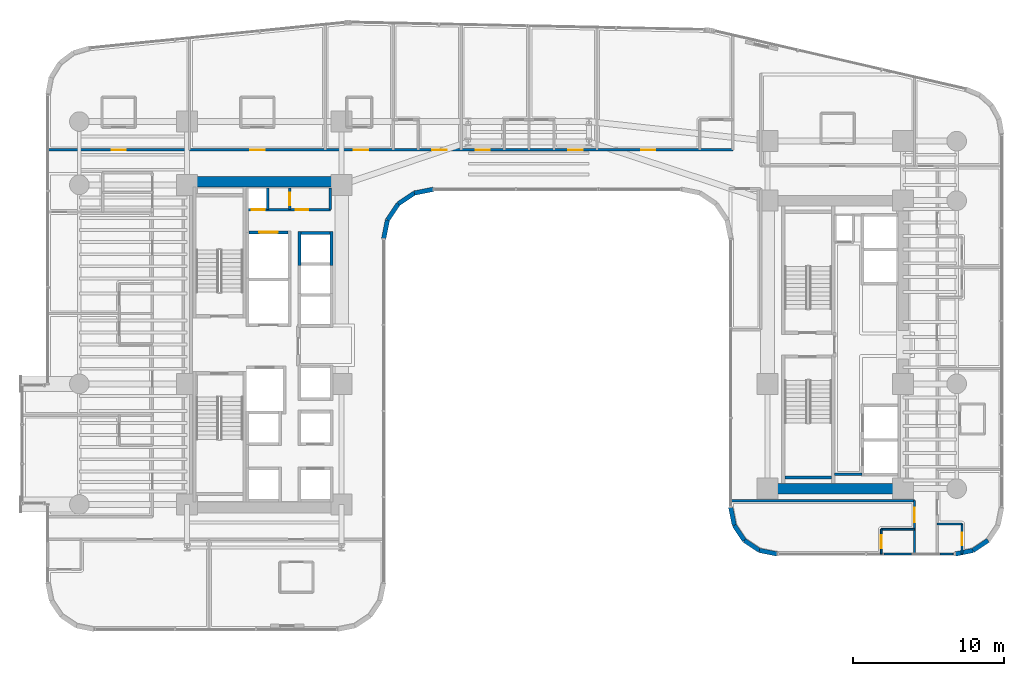
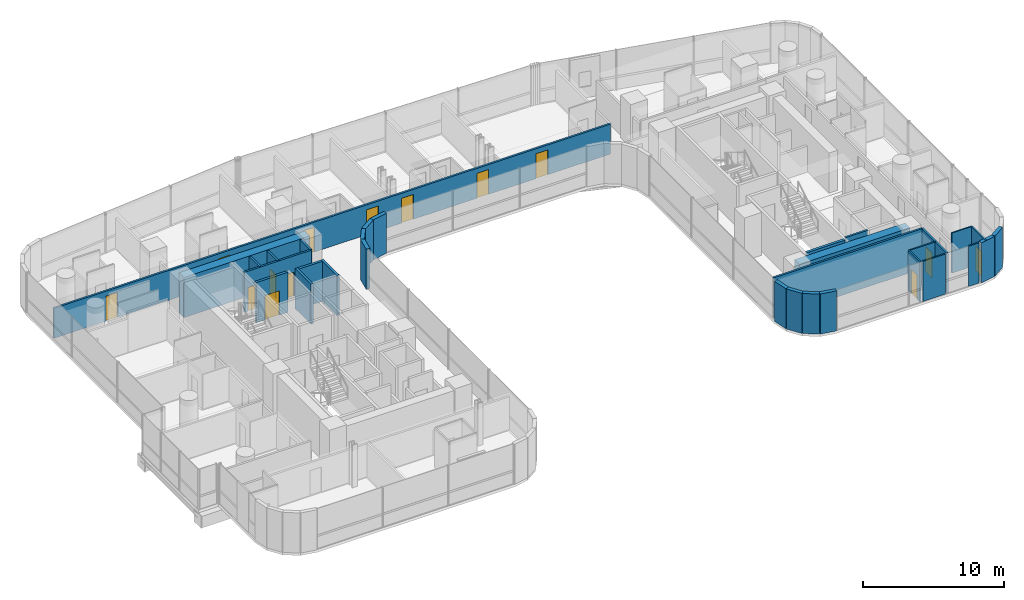
# One storey, part 32 of 42: 31 walls, 14 doors, 14 openings.
"""IFC4 building model written with IfcOpenShell, lengths in metres."""

from ifc_helpers import new_model, si_unit, direction, frame, frame_2d, origin, place, context, subcontext, project, spatial, rectangle, extrude, material, layer, layer_set, type_object, element, fill, save


model = new_model("IFC4")

# Units and contexts
model_context = context("Model", 3, precision=1e-05, world=origin(), true_north=direction((0.0, 1.0)))
body_context = subcontext(model_context, "Body", "Model", "MODEL_VIEW")
ifc_project = project(units=[si_unit("LENGTHUNIT", "METRE"), si_unit("AREAUNIT", "SQUARE_METRE"), si_unit("VOLUMEUNIT", "CUBIC_METRE"), si_unit("PLANEANGLEUNIT", "RADIAN"), si_unit("MASSUNIT", "GRAM", prefix="KILO")], contexts=[model_context])

# Site, building, storey
site_placement = place(None, origin())
site = spatial("IfcSite", under=ifc_project, at=site_placement, CompositionType="ELEMENT")
building_placement = place(site_placement, origin())
building = spatial("IfcBuilding", under=site, at=building_placement, Name="Valdorenza Pilgrim Sanctuary Tower", CompositionType="ELEMENT")
storey_placement = place(building_placement, frame((0.0, 0.0, 29.699951171875)))
storey = spatial("IfcBuildingStorey", under=building, at=storey_placement, Name="L06", CompositionType="ELEMENT", Elevation=29.699951171875)

# Wall, openings, doors
ifc_material_1 = material(Name="Acoustic twin-stud gypsum partition", Category="gypsum")
ifc_layer_1 = layer(ifc_material_1, 0.159912109375, Name="Acoustic twin-stud gypsum partition")
ifc_layer_set_1 = layer_set([ifc_layer_1], Name="Acoustic twin-stud gypsum partition")
wall_type_1 = type_object("IfcWallType", Name="WAL-COR-160", PredefinedType="PARTITIONING", material=ifc_layer_set_1)
wall_1_placement = place(storey_placement, frame((-18.64990234375, 8.949951171875, 0.0), z_axis=(0.0, 0.0, 1.0), x_axis=(1.0, 0.0, 0.0)))
wall_1 = element("IfcWall", 1, at=wall_1_placement, inside=storey, type_object=wall_type_1, Name="L06 Core A North Service South Wall", PredefinedType="PARTITIONING", context=body_context, shape_type="SweptSolid", body=[
    extrude(rectangle(XDim=5.5, YDim=0.159912109375, at=frame_2d((2.75, 0.0))), origin(), (0.0, 0.0, 1.0), 3.4599609375),
])
opening_1_placement = place(wall_1_placement, frame((0.300048828125, 0.0, 0.0)))
opening_1 = element("IfcOpeningElement", 2, at=opening_1_placement, cuts=wall_1, Name="Opening DR-RS1", PredefinedType="OPENING", context=body_context, shape_type="SweptSolid", body=[
    extrude(rectangle(XDim=0.85009765625, YDim=2.050048828125, at=frame_2d((0.425048828125, 1.02490234375))), frame((0.0, 0.0947265625, 0.0), z_axis=(0.0, -1.0, 0.0), x_axis=(1.0, 0.0, 0.0)), (0.0, 0.0, 1.0), 0.189697265625),
])
opening_2_placement = place(wall_1_placement, frame((3.199951171875, 0.0, 0.0)))
opening_2 = element("IfcOpeningElement", 3, at=opening_2_placement, cuts=wall_1, Name="Opening DR-RS1", PredefinedType="OPENING", context=body_context, shape_type="SweptSolid", body=[
    extrude(rectangle(XDim=0.85009765625, YDim=2.050048828125, at=frame_2d((0.425048828125, 1.02490234375))), frame((0.0, 0.0947265625, 0.0), z_axis=(0.0, -1.0, 0.0), x_axis=(1.0, 0.0, 0.0)), (0.0, 0.0, 1.0), 0.189697265625),
])
ifc_material_2 = material(Name="Painted galvanized steel", Category="steel")
door_type_1 = type_object("IfcDoorType", Name="DR-RSR-850", OperationType="NOTDEFINED", PredefinedType="DOOR", material=ifc_material_2)
door_1_placement = place(opening_1_placement, origin())
door_1 = element("IfcDoor", 4, at=door_1_placement, inside=storey, type_object=door_type_1, Name="L06 Core Electrical and Telecom Riser Door", OperationType="SINGLE_SWING_LEFT", OverallHeight=2.050048828125, OverallWidth=0.85009765625, PredefinedType="DOOR", context=body_context, shape_type="SweptSolid", body=[
    extrude(rectangle(XDim=0.85009765625, YDim=2.050048828125, at=frame_2d((0.425048828125, 1.02490234375))), frame((0.0, 0.02490234375, 0.0), z_axis=(0.0, -1.0, 0.0), x_axis=(1.0, 0.0, 0.0)), (0.0, 0.0, 1.0), 0.050048828125),
])
fill(opening_1, door_1)
door_2_placement = place(opening_2_placement, origin())
door_2 = element("IfcDoor", 5, at=door_2_placement, inside=storey, type_object=door_type_1, Name="L06 Housekeeping and Clean Linen Room Door", OperationType="SINGLE_SWING_RIGHT", OverallHeight=2.050048828125, OverallWidth=0.85009765625, PredefinedType="DOOR", context=body_context, shape_type="SweptSolid", body=[
    extrude(rectangle(XDim=0.85009765625, YDim=2.050048828125, at=frame_2d((0.425048828125, 1.02490234375))), frame((0.0, 0.02490234375, 0.0), z_axis=(0.0, -1.0, 0.0), x_axis=(1.0, 0.0, 0.0)), (0.0, 0.0, 1.0), 0.050048828125),
])
fill(opening_2, door_2)

# Walls
for number, where, z_axis, x_axis, name in (
    (6, (-13.14990234375, 8.949951171875, 0.0), (0.0, 0.0, 1.0), (0.0, 1.0, 0.0), "L06 Core A North Service East Wall"),
    (7, (-17.300048828125, 8.949951171875, 0.0), (0.0, 0.0, 1.0), (0.0, 1.0, 0.0), "L06 Core Electrical Riser Wall"),
):
    element("IfcWall", number, at=place(storey_placement, frame(where, z_axis=z_axis, x_axis=x_axis)), inside=storey, type_object=wall_type_1, Name=name, PredefinedType="PARTITIONING", context=body_context, shape_type="SweptSolid", body=[
        extrude(rectangle(XDim=1.429931640625, YDim=0.159912109375, at=frame_2d((0.71484375, 0.0))), origin(), (0.0, 0.0, 1.0), 3.4599609375),
    ])

# Wall, opening, door
wall_2_placement = place(storey_placement, frame((-15.85009765625, 8.949951171875, 0.0), z_axis=(0.0, 0.0, 1.0), x_axis=(0.0, 1.0, 0.0)))
wall_2 = element("IfcWall", 8, at=wall_2_placement, inside=storey, type_object=wall_type_1, Name="L06 Core A Split C", PredefinedType="PARTITIONING", context=body_context, shape_type="SweptSolid", body=[
    extrude(rectangle(XDim=1.429931640625, YDim=0.159912109375, at=frame_2d((0.71484375, 0.0))), origin(), (0.0, 0.0, 1.0), 3.4599609375),
])
opening_3_placement = place(wall_2_placement, frame((0.2900390625, 0.0, 0.0)))
opening_3 = element("IfcOpeningElement", 9, at=opening_3_placement, cuts=wall_2, Name="Opening DR-RS1", PredefinedType="OPENING", context=body_context, shape_type="SweptSolid", body=[
    extrude(rectangle(XDim=0.85009765625, YDim=2.050048828125, at=frame_2d((0.425048828125, 1.02490234375))), frame((0.0, 0.0947265625, 0.0), z_axis=(0.0, -1.0, 0.0), x_axis=(1.0, 0.0, 0.0)), (0.0, 0.0, 1.0), 0.189697265625),
])
door_3_placement = place(opening_3_placement, origin())
door_3 = element("IfcDoor", 10, at=door_3_placement, inside=storey, type_object=door_type_1, Name="L06 Clean Linen Supply Store Door", OperationType="SINGLE_SWING_LEFT", OverallHeight=2.050048828125, OverallWidth=0.85009765625, PredefinedType="DOOR", context=body_context, shape_type="SweptSolid", body=[
    extrude(rectangle(XDim=0.85009765625, YDim=2.050048828125, at=frame_2d((0.425048828125, 1.02490234375))), frame((0.0, 0.02490234375, 0.0), z_axis=(0.0, -1.0, 0.0), x_axis=(1.0, 0.0, 0.0)), (0.0, 0.0, 1.0), 0.050048828125),
])
fill(opening_3, door_3)

# Wall
wall_3_placement = place(storey_placement, frame((20.300048828125, -8.60009765625, 0.0), z_axis=(0.0, 0.0, 1.0), x_axis=(1.0, 0.0, 0.0)))
element("IfcWall", 11, at=wall_3_placement, inside=storey, type_object=wall_type_1, Name="L06 Core B Lift Hall South End Wall", PredefinedType="PARTITIONING", context=body_context, shape_type="SweptSolid", body=[
    extrude(rectangle(XDim=1.820068359375, YDim=0.159912109375, at=frame_2d((0.91015625, 0.0))), origin(), (0.0, 0.0, 1.0), 3.4599609375),
])

# Wall, openings, doors
wall_4_placement = place(storey_placement, frame((-31.889892578125, 12.919921875, 0.0), z_axis=(0.0, 0.0, 1.0), x_axis=(1.0, 0.0, 0.0)))
wall_4 = element("IfcWall", 12, at=wall_4_placement, inside=storey, type_object=wall_type_1, Name="L06 North Corridor Wall", PredefinedType="PARTITIONING", context=body_context, shape_type="SweptSolid", body=[
    extrude(rectangle(XDim=45.43994140625, YDim=0.159912109375, at=frame_2d((22.719970703125, 0.0))), origin(), (0.0, 0.0, 1.0), 2.5830078125),
])
opening_4_placement = place(wall_4_placement, frame((4.22509765625, 0.0, 0.0)))
opening_4 = element("IfcOpeningElement", 13, at=opening_4_placement, cuts=wall_4, Name="Opening DR-UN1", PredefinedType="OPENING", context=body_context, shape_type="SweptSolid", body=[
    extrude(rectangle(XDim=0.949951171875, YDim=2.14990234375, at=frame_2d((0.47509765625, 1.074951171875))), frame((0.0, 0.0947265625, 0.0), z_axis=(0.0, -1.0, 0.0), x_axis=(1.0, 0.0, 0.0)), (0.0, 0.0, 1.0), 0.189697265625),
])
opening_5_placement = place(wall_4_placement, frame((13.429931640625, 0.0, 0.0)))
opening_5 = element("IfcOpeningElement", 14, at=opening_5_placement, cuts=wall_4, Name="Opening DR-UN1", PredefinedType="OPENING", context=body_context, shape_type="SweptSolid", body=[
    extrude(rectangle(XDim=0.949951171875, YDim=2.14990234375, at=frame_2d((0.47509765625, 1.074951171875))), frame((0.0, 0.0947265625, 0.0), z_axis=(0.0, -1.0, 0.0), x_axis=(1.0, 0.0, 0.0)), (0.0, 0.0, 1.0), 0.189697265625),
])
opening_6_placement = place(wall_4_placement, frame((20.31005859375, 0.0, 0.0)))
opening_6 = element("IfcOpeningElement", 15, at=opening_6_placement, cuts=wall_4, Name="Opening DR-UN1", PredefinedType="OPENING", context=body_context, shape_type="SweptSolid", body=[
    extrude(rectangle(XDim=0.949951171875, YDim=2.14990234375, at=frame_2d((0.47509765625, 1.074951171875))), frame((0.0, 0.0947265625, 0.0), z_axis=(0.0, -1.0, 0.0), x_axis=(1.0, 0.0, 0.0)), (0.0, 0.0, 1.0), 0.189697265625),
])
opening_7_placement = place(wall_4_placement, frame((25.51708984375, 0.0, 0.0)))
opening_7 = element("IfcOpeningElement", 16, at=opening_7_placement, cuts=wall_4, Name="Opening DR-UN1", PredefinedType="OPENING", context=body_context, shape_type="SweptSolid", body=[
    extrude(rectangle(XDim=0.949951171875, YDim=2.14990234375, at=frame_2d((0.47509765625, 1.074951171875))), frame((0.0, 0.0947265625, 0.0), z_axis=(0.0, -1.0, 0.0), x_axis=(1.0, 0.0, 0.0)), (0.0, 0.0, 1.0), 0.189697265625),
])
opening_8_placement = place(wall_4_placement, frame((28.373046875, 0.0, 0.0)))
opening_8 = element("IfcOpeningElement", 17, at=opening_8_placement, cuts=wall_4, Name="Opening DR-UN1", PredefinedType="OPENING", context=body_context, shape_type="SweptSolid", body=[
    extrude(rectangle(XDim=0.949951171875, YDim=2.14990234375, at=frame_2d((0.47509765625, 1.074951171875))), frame((0.0, 0.0947265625, 0.0), z_axis=(0.0, -1.0, 0.0), x_axis=(1.0, 0.0, 0.0)), (0.0, 0.0, 1.0), 0.189697265625),
])
opening_9_placement = place(wall_4_placement, frame((34.527099609375, 0.0, 0.0)))
opening_9 = element("IfcOpeningElement", 18, at=opening_9_placement, cuts=wall_4, Name="Opening DR-UN1", PredefinedType="OPENING", context=body_context, shape_type="SweptSolid", body=[
    extrude(rectangle(XDim=0.949951171875, YDim=2.14990234375, at=frame_2d((0.47509765625, 1.074951171875))), frame((0.0, 0.0947265625, 0.0), z_axis=(0.0, -1.0, 0.0), x_axis=(1.0, 0.0, 0.0)), (0.0, 0.0, 1.0), 0.189697265625),
])
opening_10_placement = place(wall_4_placement, frame((39.360107421875, 0.0, 0.0)))
opening_10 = element("IfcOpeningElement", 19, at=opening_10_placement, cuts=wall_4, Name="Opening DR-UN1", PredefinedType="OPENING", context=body_context, shape_type="SweptSolid", body=[
    extrude(rectangle(XDim=0.949951171875, YDim=2.14990234375, at=frame_2d((0.47509765625, 1.074951171875))), frame((0.0, 0.0947265625, 0.0), z_axis=(0.0, -1.0, 0.0), x_axis=(1.0, 0.0, 0.0)), (0.0, 0.0, 1.0), 0.189697265625),
])
ifc_material_3 = material(Name="Solid-core European oak timber", Category="wood")
door_type_2 = type_object("IfcDoorType", Name="DR-UNIT-950", OperationType="NOTDEFINED", PredefinedType="DOOR", material=ifc_material_3)
door_4_placement = place(opening_4_placement, frame((0.949951171875, 0.0, 0.0), z_axis=(0.0, 0.0, 1.0), x_axis=(-1.0, 0.0, 0.0)))
door_4 = element("IfcDoor", 20, at=door_4_placement, inside=storey, type_object=door_type_2, Name="L06 North Guest Room L06-N1 Entrance Door", OperationType="SINGLE_SWING_LEFT", OverallHeight=2.14990234375, OverallWidth=0.949951171875, PredefinedType="DOOR", context=body_context, shape_type="SweptSolid", body=[
    extrude(rectangle(XDim=0.949951171875, YDim=2.14990234375, at=frame_2d((0.47509765625, 1.074951171875))), frame((0.0, 0.02490234375, 0.0), z_axis=(0.0, -1.0, 0.0), x_axis=(1.0, 0.0, 0.0)), (0.0, 0.0, 1.0), 0.050048828125),
])
fill(opening_4, door_4)
door_5_placement = place(opening_5_placement, frame((0.949951171875, 0.0, 0.0), z_axis=(0.0, 0.0, 1.0), x_axis=(-1.0, 0.0, 0.0)))
door_5 = element("IfcDoor", 21, at=door_5_placement, inside=storey, type_object=door_type_2, Name="L06 North Guest Room L06-N2 Entrance Door", OperationType="SINGLE_SWING_LEFT", OverallHeight=2.14990234375, OverallWidth=0.949951171875, PredefinedType="DOOR", context=body_context, shape_type="SweptSolid", body=[
    extrude(rectangle(XDim=0.949951171875, YDim=2.14990234375, at=frame_2d((0.47509765625, 1.074951171875))), frame((0.0, 0.02490234375, 0.0), z_axis=(0.0, -1.0, 0.0), x_axis=(1.0, 0.0, 0.0)), (0.0, 0.0, 1.0), 0.050048828125),
])
fill(opening_5, door_5)
door_6_placement = place(opening_6_placement, frame((0.949951171875, 0.0, 0.0), z_axis=(0.0, 0.0, 1.0), x_axis=(-1.0, 0.0, 0.0)))
door_6 = element("IfcDoor", 22, at=door_6_placement, inside=storey, type_object=door_type_2, Name="L06 North Guest Room L06-N3A Entrance Door", OperationType="SINGLE_SWING_LEFT", OverallHeight=2.14990234375, OverallWidth=0.949951171875, PredefinedType="DOOR", context=body_context, shape_type="SweptSolid", body=[
    extrude(rectangle(XDim=0.949951171875, YDim=2.14990234375, at=frame_2d((0.47509765625, 1.074951171875))), frame((0.0, 0.02490234375, 0.0), z_axis=(0.0, -1.0, 0.0), x_axis=(1.0, 0.0, 0.0)), (0.0, 0.0, 1.0), 0.050048828125),
])
fill(opening_6, door_6)
door_7_placement = place(opening_7_placement, frame((0.949951171875, 0.0, 0.0), z_axis=(0.0, 0.0, 1.0), x_axis=(-1.0, 0.0, 0.0)))
door_7 = element("IfcDoor", 23, at=door_7_placement, inside=storey, type_object=door_type_2, Name="L06 North Guest Room L06-N3B Entrance Door", OperationType="SINGLE_SWING_LEFT", OverallHeight=2.14990234375, OverallWidth=0.949951171875, PredefinedType="DOOR", context=body_context, shape_type="SweptSolid", body=[
    extrude(rectangle(XDim=0.949951171875, YDim=2.14990234375, at=frame_2d((0.47509765625, 1.074951171875))), frame((0.0, 0.02490234375, 0.0), z_axis=(0.0, -1.0, 0.0), x_axis=(1.0, 0.0, 0.0)), (0.0, 0.0, 1.0), 0.050048828125),
])
fill(opening_7, door_7)
door_8_placement = place(opening_8_placement, frame((0.949951171875, 0.0, 0.0), z_axis=(0.0, 0.0, 1.0), x_axis=(-1.0, 0.0, 0.0)))
door_8 = element("IfcDoor", 24, at=door_8_placement, inside=storey, type_object=door_type_2, Name="L06 North Guest Room L06-N4A Entrance Door", OperationType="SINGLE_SWING_LEFT", OverallHeight=2.14990234375, OverallWidth=0.949951171875, PredefinedType="DOOR", context=body_context, shape_type="SweptSolid", body=[
    extrude(rectangle(XDim=0.949951171875, YDim=2.14990234375, at=frame_2d((0.47509765625, 1.074951171875))), frame((0.0, 0.02490234375, 0.0), z_axis=(0.0, -1.0, 0.0), x_axis=(1.0, 0.0, 0.0)), (0.0, 0.0, 1.0), 0.050048828125),
])
fill(opening_8, door_8)
door_9_placement = place(opening_9_placement, frame((0.949951171875, 0.0, 0.0), z_axis=(0.0, 0.0, 1.0), x_axis=(-1.0, 0.0, 0.0)))
door_9 = element("IfcDoor", 25, at=door_9_placement, inside=storey, type_object=door_type_2, Name="L06 North Guest Room L06-N4B Entrance Door", OperationType="SINGLE_SWING_LEFT", OverallHeight=2.14990234375, OverallWidth=0.949951171875, PredefinedType="DOOR", context=body_context, shape_type="SweptSolid", body=[
    extrude(rectangle(XDim=0.949951171875, YDim=2.14990234375, at=frame_2d((0.47509765625, 1.074951171875))), frame((0.0, 0.02490234375, 0.0), z_axis=(0.0, -1.0, 0.0), x_axis=(1.0, 0.0, 0.0)), (0.0, 0.0, 1.0), 0.050048828125),
])
fill(opening_9, door_9)
door_10_placement = place(opening_10_placement, frame((0.949951171875, 0.0, 0.0), z_axis=(0.0, 0.0, 1.0), x_axis=(-1.0, 0.0, 0.0)))
door_10 = element("IfcDoor", 26, at=door_10_placement, inside=storey, type_object=door_type_2, Name="L06 North Guest Room L06-N5 Entrance Door", OperationType="SINGLE_SWING_LEFT", OverallHeight=2.14990234375, OverallWidth=0.949951171875, PredefinedType="DOOR", context=body_context, shape_type="SweptSolid", body=[
    extrude(rectangle(XDim=0.949951171875, YDim=2.14990234375, at=frame_2d((0.47509765625, 1.074951171875))), frame((0.0, 0.02490234375, 0.0), z_axis=(0.0, -1.0, 0.0), x_axis=(1.0, 0.0, 0.0)), (0.0, 0.0, 1.0), 0.050048828125),
])
fill(opening_10, door_10)

# Wall, opening, door
wall_5_placement = place(storey_placement, frame((25.60009765625, -13.889892578125, 0.0), z_axis=(0.0, 0.0, 1.0), x_axis=(0.0, 1.0, 0.0)))
wall_5 = element("IfcWall", 27, at=wall_5_placement, inside=storey, type_object=wall_type_1, Name="L06 Wing B South-East Corridor Wall", PredefinedType="PARTITIONING", context=body_context, shape_type="SweptSolid", body=[
    extrude(rectangle(XDim=3.539794921875, YDim=0.159912109375, at=frame_2d((1.77001953125, 0.0))), origin(), (0.0, 0.0, 1.0), 3.4599609375),
])
opening_11_placement = place(wall_5_placement, frame((2.1201171875, 0.0, 0.0)))
opening_11 = element("IfcOpeningElement", 28, at=opening_11_placement, cuts=wall_5, Name="Opening DR-UN1", PredefinedType="OPENING", context=body_context, shape_type="SweptSolid", body=[
    extrude(rectangle(XDim=0.949951171875, YDim=2.14990234375, at=frame_2d((0.47509765625, 1.074951171875))), frame((0.0, 0.0947265625, 0.0), z_axis=(0.0, -1.0, 0.0), x_axis=(1.0, 0.0, 0.0)), (0.0, 0.0, 1.0), 0.189697265625),
])
door_11_placement = place(opening_11_placement, frame((0.949951171875, 0.0, 0.0), z_axis=(0.0, 0.0, 1.0), x_axis=(-1.0, 0.0, 0.0)))
door_11 = element("IfcDoor", 29, at=door_11_placement, inside=storey, type_object=door_type_2, Name="L06 East South Guest Room L06-ES1 Entrance Door", OperationType="SINGLE_SWING_LEFT", OverallHeight=2.14990234375, OverallWidth=0.949951171875, PredefinedType="DOOR", context=body_context, shape_type="SweptSolid", body=[
    extrude(rectangle(XDim=0.949951171875, YDim=2.14990234375, at=frame_2d((0.47509765625, 1.074951171875))), frame((0.0, 0.02490234375, 0.0), z_axis=(0.0, -1.0, 0.0), x_axis=(1.0, 0.0, 0.0)), (0.0, 0.0, 1.0), 0.050048828125),
])
fill(opening_11, door_11)

# Walls
wall_6_placement = place(storey_placement, frame((13.409912109375, -10.35009765625, 0.0), z_axis=(0.0, 0.0, 1.0), x_axis=(1.0, 0.0, 0.0)))
element("IfcWall", 30, at=wall_6_placement, inside=storey, type_object=wall_type_1, Name="L06 Wing B South North Wall", PredefinedType="PARTITIONING", context=body_context, shape_type="SweptSolid", body=[
    extrude(rectangle(XDim=12.190185546875, YDim=0.159912109375, at=frame_2d((6.09521484375, 0.0))), origin(), (0.0, 0.0, 1.0), 3.4599609375),
])
ifc_material_4 = material(Name="Concrete C60/75", Category="concrete")
ifc_layer_2 = layer(ifc_material_4, 0.699951171875, Name="Concrete C60/75")
ifc_layer_set_2 = layer_set([ifc_layer_2], Name="Concrete C60/75")
wall_type_2 = type_object("IfcWallType", Name="WAL-COR-700", PredefinedType="SHEAR", material=ifc_layer_set_2)
wall_7_placement = place(storey_placement, frame((-22.64990234375, 10.800048828125, 0.0), z_axis=(0.0, 0.0, 1.0), x_axis=(1.0, 0.0, 0.0)))
element("IfcWall", 31, at=wall_7_placement, inside=storey, type_object=wall_type_2, Name="L06 Split Core A Shear Wall N", PredefinedType="SHEAR", context=body_context, shape_type="SweptSolid", body=[
    extrude(rectangle(XDim=10.25, YDim=0.699951171875, at=frame_2d((5.125, 0.0))), origin(), (0.0, 0.0, 1.0), 3.4599609375),
])
wall_8_placement = place(storey_placement, frame((15.85009765625, -9.550048828125, 0.0), z_axis=(0.0, 0.0, 1.0), x_axis=(1.0, 0.0, 0.0)))
element("IfcWall", 32, at=wall_8_placement, inside=storey, type_object=wall_type_2, Name="L06 Split Core B Shear Wall S", PredefinedType="SHEAR", context=body_context, shape_type="SweptSolid", body=[
    extrude(rectangle(XDim=9.0, YDim=0.699951171875, at=frame_2d((4.5, 0.0))), origin(), (0.0, 0.0, 1.0), 3.4599609375),
])
ifc_material_5 = material(Name="Honed travertine limestone", Category="masonry")
ifc_layer_3 = layer(ifc_material_5, 0.300048828125, Name="Honed travertine limestone")
ifc_layer_set_3 = layer_set([ifc_layer_3], Name="Honed travertine limestone")
wall_type_3 = type_object("IfcWallType", Name="WAL-EXT-300", PredefinedType="SOLIDWALL", material=ifc_layer_set_3)
wall_9_placement = place(storey_placement, frame((30.4833984375, -12.9833984375, 0.0), z_axis=(0.0, 0.0, 1.0), x_axis=(-0.831426265255, -0.555635100982, 0.0)))
element("IfcWall", 33, at=wall_9_placement, inside=storey, type_object=wall_type_3, Name="L06 Rounded Wind-Corner Stone Pier 24", PredefinedType="SOLIDWALL", context=body_context, shape_type="SweptSolid", body=[
    extrude(rectangle(XDim=1.204833984375, YDim=0.300048828125, at=frame_2d((0.6025390625, 0.0))), origin(), (0.0, 0.0, 1.0), 3.4599609375),
])
for number, where, z_axis, x_axis, name in (
    (34, (29.481689453125, -13.65283203125, 0.0), (0.0, 0.0, 1.0), (-0.980804027463, -0.194996050505, 0.0), "L06 Rounded Wind-Corner Stone Pier 25"),
    (35, (16.5107421875, -13.889892578125, 0.0), (0.0, 0.0, 1.0), (-0.980804027463, 0.194996050505, 0.0), "L06 Rounded Wind-Corner Stone Pier 27"),
):
    element("IfcWall", number, at=place(storey_placement, frame(where, z_axis=z_axis, x_axis=x_axis)), inside=storey, type_object=wall_type_3, Name=name, PredefinedType="SOLIDWALL", context=body_context, shape_type="SweptSolid", body=[
        extrude(rectangle(XDim=1.2158203125, YDim=0.300048828125, at=frame_2d((0.60791015625, 0.0))), origin(), (0.0, 0.0, 1.0), 3.4599609375),
    ])
for number, where, z_axis, x_axis, name in (
    (36, (15.318359375, -13.65283203125, 0.0), (0.0, 0.0, 1.0), (-0.831426265255, 0.555635100982, 0.0), "L06 Rounded Wind-Corner Stone Pier 28"),
    (37, (14.316650390625, -12.9833984375, 0.0), (0.0, 0.0, 1.0), (-0.555635100982, 0.831426265255, 0.0), "L06 Rounded Wind-Corner Stone Pier 29"),
):
    element("IfcWall", number, at=place(storey_placement, frame(where, z_axis=z_axis, x_axis=x_axis)), inside=storey, type_object=wall_type_3, Name=name, PredefinedType="SOLIDWALL", context=body_context, shape_type="SweptSolid", body=[
        extrude(rectangle(XDim=1.204833984375, YDim=0.300048828125, at=frame_2d((0.6025390625, 0.0))), origin(), (0.0, 0.0, 1.0), 3.4599609375),
    ])
wall_10_placement = place(storey_placement, frame((13.647216796875, -11.981689453125, 0.0), z_axis=(0.0, 0.0, 1.0), x_axis=(-0.195189223115, 0.980765602568, 0.0)))
element("IfcWall", 38, at=wall_10_placement, inside=storey, type_object=wall_type_3, Name="L06 Rounded Wind-Corner Stone Pier 30", PredefinedType="SOLIDWALL", context=body_context, shape_type="SweptSolid", body=[
    extrude(rectangle(XDim=1.2158203125, YDim=0.300048828125, at=frame_2d((0.60791015625, 0.0))), origin(), (0.0, 0.0, 1.0), 3.4599609375),
])
wall_11_placement = place(storey_placement, frame((-6.310791015625, 10.31005859375, 0.0), z_axis=(0.0, 0.0, 1.0), x_axis=(-0.980778058848, -0.195126623715, 0.0)))
element("IfcWall", 39, at=wall_11_placement, inside=storey, type_object=wall_type_3, Name="L06 Rounded Wind-Corner Stone Pier 37", PredefinedType="SOLIDWALL", context=body_context, shape_type="SweptSolid", body=[
    extrude(rectangle(XDim=1.28125, YDim=0.300048828125, at=frame_2d((0.640625, 0.0))), origin(), (0.0, 0.0, 1.0), 3.4599609375),
])
wall_12_placement = place(storey_placement, frame((-7.5673828125, 10.06005859375, 0.0), z_axis=(0.0, 0.0, 1.0), x_axis=(-0.831497739511, -0.555528135371, 0.0)))
element("IfcWall", 40, at=wall_12_placement, inside=storey, type_object=wall_type_3, Name="L06 Rounded Wind-Corner Stone Pier 38", PredefinedType="SOLIDWALL", context=body_context, shape_type="SweptSolid", body=[
    extrude(rectangle(XDim=1.29248046875, YDim=0.300048828125, at=frame_2d((0.646240234375, 0.0))), origin(), (0.0, 0.0, 1.0), 3.4599609375),
])
wall_13_placement = place(storey_placement, frame((-8.64208984375, 9.342041015625, 0.0), z_axis=(0.0, 0.0, 1.0), x_axis=(-0.555615398575, -0.831439431869, 0.0)))
element("IfcWall", 41, at=wall_13_placement, inside=storey, type_object=wall_type_3, Name="L06 Rounded Wind-Corner Stone Pier 39", PredefinedType="SOLIDWALL", context=body_context, shape_type="SweptSolid", body=[
    extrude(rectangle(XDim=1.292236328125, YDim=0.300048828125, at=frame_2d((0.64599609375, 0.0))), origin(), (0.0, 0.0, 1.0), 3.4599609375),
])
wall_14_placement = place(storey_placement, frame((-9.360107421875, 8.267578125, 0.0), z_axis=(0.0, 0.0, 1.0), x_axis=(-0.195090163074, -0.980785312019, 0.0)))
element("IfcWall", 42, at=wall_14_placement, inside=storey, type_object=wall_type_3, Name="L06 Rounded Wind-Corner Stone Pier 40", PredefinedType="SOLIDWALL", context=body_context, shape_type="SweptSolid", body=[
    extrude(rectangle(XDim=1.281494140625, YDim=0.300048828125, at=frame_2d((0.640625, 0.0))), origin(), (0.0, 0.0, 1.0), 3.4599609375),
])
ifc_material_6 = material(Name="Moisture-resistant gypsum partition", Category="gypsum")
ifc_layer_4 = layer(ifc_material_6, 0.1201171875, Name="Moisture-resistant gypsum partition")
ifc_layer_set_4 = layer_set([ifc_layer_4], Name="Moisture-resistant gypsum partition")
wall_type_4 = type_object("IfcWallType", Name="WAL-INT-120", PredefinedType="PARTITIONING", material=ifc_layer_set_4)
wall_15_placement = place(storey_placement, frame((23.39990234375, -12.239990234375, 0.0), z_axis=(0.0, 0.0, 1.0), x_axis=(1.0, 0.0, 0.0)))
element("IfcWall", 43, at=wall_15_placement, inside=storey, type_object=wall_type_4, Name="L06 East South Guest Room L06-ES1 En-suite North Wall", PredefinedType="PARTITIONING", context=body_context, shape_type="SweptSolid", body=[
    extrude(rectangle(XDim=2.2001953125, YDim=0.1201171875, at=frame_2d((1.10009765625, 0.0))), origin(), (0.0, 0.0, 1.0), 3.4599609375),
])

# Wall, opening, door
wall_16_placement = place(storey_placement, frame((23.39990234375, -13.889892578125, 0.0), z_axis=(0.0, 0.0, 1.0), x_axis=(0.0, 1.0, 0.0)))
wall_16 = element("IfcWall", 44, at=wall_16_placement, inside=storey, type_object=wall_type_4, Name="L06 East South Guest Room L06-ES1 En-suite Door Wall", PredefinedType="PARTITIONING", context=body_context, shape_type="SweptSolid", body=[
    extrude(rectangle(XDim=1.64990234375, YDim=0.1201171875, at=frame_2d((0.824951171875, 0.0))), origin(), (0.0, 0.0, 1.0), 3.4599609375),
])
opening_12_placement = place(wall_16_placement, frame((0.39990234375, 0.0, 0.0)))
opening_12 = element("IfcOpeningElement", 45, at=opening_12_placement, cuts=wall_16, Name="Opening DR-WC1", PredefinedType="OPENING", context=body_context, shape_type="SweptSolid", body=[
    extrude(rectangle(XDim=0.85009765625, YDim=2.10009765625, at=frame_2d((0.425048828125, 1.050048828125))), frame((0.0, 0.074951171875, 0.0), z_axis=(0.0, -1.0, 0.0), x_axis=(1.0, 0.0, 0.0)), (0.0, 0.0, 1.0), 0.14990234375),
])
ifc_material_7 = material(Name="Moisture-resistant lacquered timber", Category="wood")
door_type_3 = type_object("IfcDoorType", Name="DR-BATH-850", OperationType="NOTDEFINED", PredefinedType="DOOR", material=ifc_material_7)
door_12_placement = place(opening_12_placement, origin())
door_12 = element("IfcDoor", 46, at=door_12_placement, inside=storey, type_object=door_type_3, Name="L06 East South Guest Room L06-ES1 En-suite Bathroom Door", OperationType="SINGLE_SWING_RIGHT", OverallHeight=2.10009765625, OverallWidth=0.85009765625, PredefinedType="DOOR", context=body_context, shape_type="SweptSolid", body=[
    extrude(rectangle(XDim=0.85009765625, YDim=2.10009765625, at=frame_2d((0.425048828125, 1.050048828125))), frame((0.0, 0.02490234375, 0.0), z_axis=(0.0, -1.0, 0.0), x_axis=(1.0, 0.0, 0.0)), (0.0, 0.0, 1.0), 0.050048828125),
])
fill(opening_12, door_12)

# Walls
wall_17_placement = place(storey_placement, frame((23.580078125, -13.889892578125, 0.0), z_axis=(0.0, 0.0, 1.0), x_axis=(1.0, 0.0, 0.0)))
element("IfcWall", 47, at=wall_17_placement, inside=storey, type_object=wall_type_4, Name="L06 WB-SG1-ENS Enclosure Wall S", PredefinedType="PARTITIONING", context=body_context, shape_type="SweptSolid", body=[
    extrude(rectangle(XDim=1.81982421875, YDim=0.1201171875, at=frame_2d((0.909912109375, 0.0))), origin(), (0.0, 0.0, 1.0), 3.4599609375),
])
wall_18_placement = place(storey_placement, frame((27.10009765625, -11.889892578125, 0.0), z_axis=(0.0, 0.0, 1.0), x_axis=(1.0, 0.0, 0.0)))
element("IfcWall", 48, at=wall_18_placement, inside=storey, type_object=wall_type_4, Name="L06 East Sanctuary Guest Room L06-EG1 En-suite North Wall", PredefinedType="PARTITIONING", context=body_context, shape_type="SweptSolid", body=[
    extrude(rectangle(XDim=1.64990234375, YDim=0.1201171875, at=frame_2d((0.824951171875, 0.0))), origin(), (0.0, 0.0, 1.0), 3.4599609375),
])

# Wall, opening, door
wall_19_placement = place(storey_placement, frame((28.75, -13.889892578125, 0.0), z_axis=(0.0, 0.0, 1.0), x_axis=(0.0, 1.0, 0.0)))
wall_19 = element("IfcWall", 49, at=wall_19_placement, inside=storey, type_object=wall_type_4, Name="L06 East Sanctuary Guest Room L06-EG1 En-suite Door Wall", PredefinedType="PARTITIONING", context=body_context, shape_type="SweptSolid", body=[
    extrude(rectangle(XDim=2.0, YDim=0.1201171875, at=frame_2d((1.0, 0.0))), origin(), (0.0, 0.0, 1.0), 3.4599609375),
])
opening_13_placement = place(wall_19_placement, frame((0.574951171875, 0.0, 0.0)))
opening_13 = element("IfcOpeningElement", 50, at=opening_13_placement, cuts=wall_19, Name="Opening DR-WC1", PredefinedType="OPENING", context=body_context, shape_type="SweptSolid", body=[
    extrude(rectangle(XDim=0.85009765625, YDim=2.10009765625, at=frame_2d((0.425048828125, 1.050048828125))), frame((0.0, 0.074951171875, 0.0), z_axis=(0.0, -1.0, 0.0), x_axis=(1.0, 0.0, 0.0)), (0.0, 0.0, 1.0), 0.14990234375),
])
door_13_placement = place(opening_13_placement, origin())
door_13 = element("IfcDoor", 51, at=door_13_placement, inside=storey, type_object=door_type_3, Name="L06 East Sanctuary Guest Room L06-EG1 En-suite Bathroom Door", OperationType="SINGLE_SWING_LEFT", OverallHeight=2.10009765625, OverallWidth=0.85009765625, PredefinedType="DOOR", context=body_context, shape_type="SweptSolid", body=[
    extrude(rectangle(XDim=0.85009765625, YDim=2.10009765625, at=frame_2d((0.425048828125, 1.050048828125))), frame((0.0, 0.02490234375, 0.0), z_axis=(0.0, -1.0, 0.0), x_axis=(1.0, 0.0, 0.0)), (0.0, 0.0, 1.0), 0.050048828125),
])
fill(opening_13, door_13)

# Wall
wall_20_placement = place(storey_placement, frame((27.300048828125, -13.889892578125, 0.0), z_axis=(0.0, 0.0, 1.0), x_axis=(1.0, 0.0, 0.0)))
element("IfcWall", 52, at=wall_20_placement, inside=storey, type_object=wall_type_4, Name="L06 WB-EG1-ENS Enclosure Wall S", PredefinedType="PARTITIONING", context=body_context, shape_type="SweptSolid", body=[
    extrude(rectangle(XDim=0.86669921875, YDim=0.1201171875, at=frame_2d((0.433349609375, 0.0))), origin(), (0.0, 0.0, 1.0), 3.4599609375),
])

# Wall, opening, door
ifc_material_8 = material(Name="Autoclaved aerated concrete blockwork", Category="masonry")
ifc_layer_5 = layer(ifc_material_8, 0.199951171875, Name="Autoclaved aerated concrete blockwork")
ifc_layer_set_5 = layer_set([ifc_layer_5], Name="Autoclaved aerated concrete blockwork")
wall_type_5 = type_object("IfcWallType", Name="WAL-SHF-200", PredefinedType="MOVABLE", material=ifc_layer_set_5)
wall_21_placement = place(storey_placement, frame((-18.550048828125, 7.449951171875, 0.0), z_axis=(0.0, 0.0, 1.0), x_axis=(1.0, 0.0, 0.0)))
wall_21 = element("IfcWall", 53, at=wall_21_placement, inside=storey, type_object=wall_type_5, Name="L06 Lift SVL-01 Hoistway Wall North", PredefinedType="MOVABLE", context=body_context, shape_type="SweptSolid", body=[
    extrude(rectangle(XDim=2.60009765625, YDim=0.199951171875, at=frame_2d((1.300048828125, 0.0))), origin(), (0.0, 0.0, 1.0), 3.4599609375),
])
opening_14_placement = place(wall_21_placement, frame((0.699951171875, 0.0, 0.0)))
opening_14 = element("IfcOpeningElement", 54, at=opening_14_placement, cuts=wall_21, Name="Opening LD-02", PredefinedType="OPENING", context=body_context, shape_type="SweptSolid", body=[
    extrude(rectangle(XDim=1.199951171875, YDim=2.10009765625, at=frame_2d((0.60009765625, 1.050048828125))), frame((0.0, 0.11474609375, 0.0), z_axis=(0.0, -1.0, 0.0), x_axis=(1.0, 0.0, 0.0)), (0.0, 0.0, 1.0), 0.229736328125),
])
ifc_material_9 = material(Name="Brushed stainless steel Grade 316", Category="steel")
door_type_4 = type_object("IfcDoorType", Name="DR-LFT-1200", OperationType="DOUBLE_DOOR_SLIDING", PredefinedType="DOOR", material=ifc_material_9)
door_14_placement = place(opening_14_placement, origin())
door_14 = element("IfcDoor", 55, at=door_14_placement, inside=storey, type_object=door_type_4, Name="L06 Lift SVL-01 Sliding Landing Door", OperationType="DOUBLE_DOOR_SLIDING", OverallHeight=2.10009765625, OverallWidth=1.199951171875, PredefinedType="DOOR", context=body_context, shape_type="SweptSolid", body=[
    extrude(rectangle(XDim=1.199951171875, YDim=2.10009765625, at=frame_2d((0.60009765625, 1.050048828125))), frame((0.0, 0.02490234375, 0.0), z_axis=(0.0, -1.0, 0.0), x_axis=(1.0, 0.0, 0.0)), (0.0, 0.0, 1.0), 0.050048828125),
])
fill(opening_14, door_14)

# Walls
for number, where, z_axis, x_axis, name in (
    (56, (-15.199951171875, 5.25, 0.0), (0.0, 0.0, 1.0), (0.0, 1.0, 0.0), "L06 Lift PL-10 Hoistway Wall West"),
    (57, (-13.080078125, 5.25, 0.0), (0.0, 0.0, 1.0), (0.0, 1.0, 0.0), "L06 Lift PL-10 Hoistway Wall East"),
):
    element("IfcWall", number, at=place(storey_placement, frame(where, z_axis=z_axis, x_axis=x_axis)), inside=storey, type_object=wall_type_5, Name=name, PredefinedType="MOVABLE", context=body_context, shape_type="SweptSolid", body=[
        extrude(rectangle(XDim=2.25, YDim=0.199951171875, at=frame_2d((1.125, 0.0))), origin(), (0.0, 0.0, 1.0), 3.4599609375),
    ])
wall_22_placement = place(storey_placement, frame((-15.10009765625, 7.39990234375, 0.0), z_axis=(0.0, 0.0, 1.0), x_axis=(1.0, 0.0, 0.0)))
element("IfcWall", 58, at=wall_22_placement, inside=storey, type_object=wall_type_5, Name="L06 Lift PL-10 Hoistway Wall North", PredefinedType="MOVABLE", context=body_context, shape_type="SweptSolid", body=[
    extrude(rectangle(XDim=1.920166015625, YDim=0.199951171875, at=frame_2d((0.9599609375, 0.0))), origin(), (0.0, 0.0, 1.0), 3.4599609375),
])
ifc_material_10 = material(Name="Concrete C40/50", Category="concrete")
ifc_layer_6 = layer(ifc_material_10, 0.219970703125, Name="Concrete C40/50")
ifc_layer_set_6 = layer_set([ifc_layer_6], Name="Concrete C40/50")
wall_type_6 = type_object("IfcWallType", Name="WAL-STR-SHF-220", PredefinedType="SHEAR", material=ifc_layer_set_6)
wall_23_placement = place(storey_placement, frame((17.0, -8.81005859375, 0.0), z_axis=(0.0, 0.0, 1.0), x_axis=(1.0, 0.0, 0.0)))
element("IfcWall", 59, at=wall_23_placement, inside=storey, type_object=wall_type_6, Name="L06 ST-B2 Structural Stairwell Wall S", PredefinedType="SHEAR", context=body_context, shape_type="SweptSolid", body=[
    extrude(rectangle(XDim=3.110107421875, YDim=0.219970703125, at=frame_2d((1.55517578125, 0.0))), origin(), (0.0, 0.0, 1.0), 3.4599609375),
])

save(model, "model.ifc")
